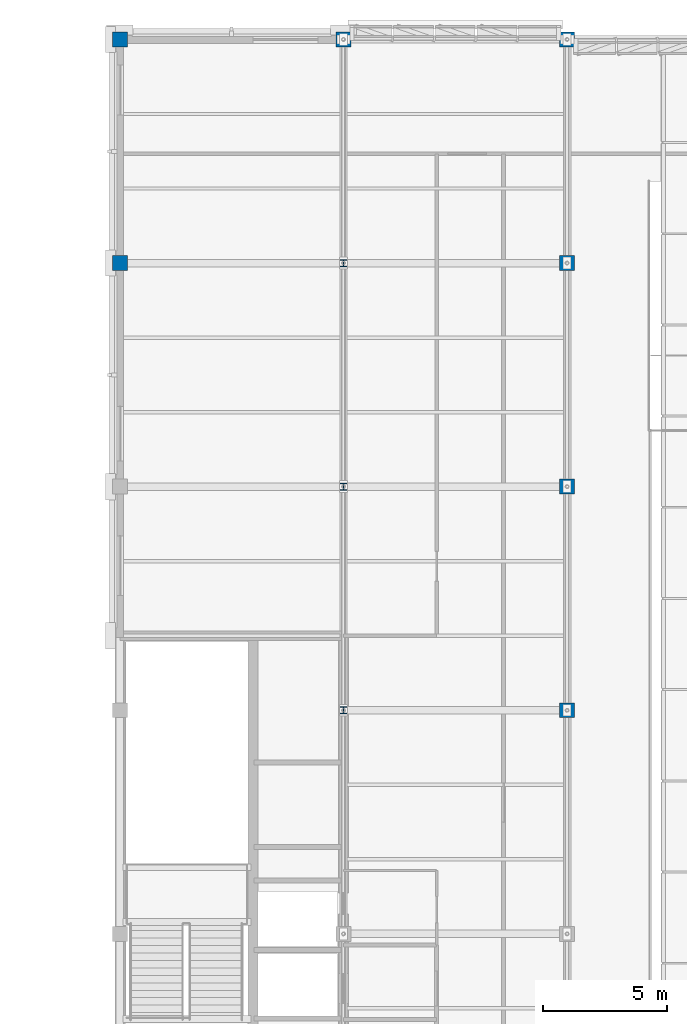
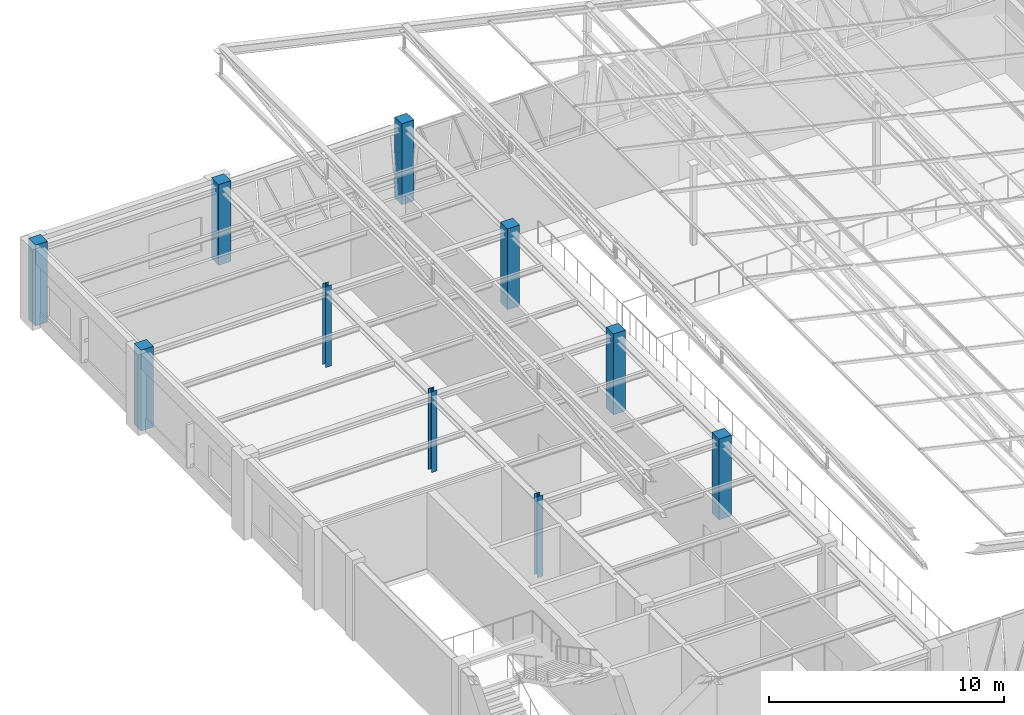
# One storey, part 8 of 130: 10 columns.
"""IFC4 building model written with IfcOpenShell, lengths in metres."""

from ifc_helpers import new_model, si_unit, direction, frame, origin, origin_2d, place, context, subcontext, project, spatial, rectangle, i_section, extrude, material, material_profile, profile_set, type_object, element, save


model = new_model("IFC4")

# Units and contexts
model_context = context("Model", 3, precision=1e-05, world=origin(), true_north=direction((0.0, 1.0)))
body_context = subcontext(model_context, "Body", "Model", "MODEL_VIEW")
ifc_project = project(units=[si_unit("LENGTHUNIT", "METRE"), si_unit("AREAUNIT", "SQUARE_METRE"), si_unit("VOLUMEUNIT", "CUBIC_METRE"), si_unit("PLANEANGLEUNIT", "RADIAN"), si_unit("MASSUNIT", "GRAM", prefix="KILO")], contexts=[model_context])

# Site, building, storey
site_placement = place(None, origin())
site = spatial("IfcSite", under=ifc_project, at=site_placement, CompositionType="ELEMENT")
building_placement = place(site_placement, origin())
building = spatial("IfcBuilding", under=site, at=building_placement, Name="Lykobir Media Centre", CompositionType="ELEMENT")
storey_placement = place(building_placement, frame((0.0, 0.0, 19.199951171875)))
storey = spatial("IfcBuildingStorey", under=building, at=storey_placement, Name="L04", CompositionType="ELEMENT", Elevation=19.199951171875)

# Columns
ifc_material_1 = material(Name="Concrete C40/50", Category="concrete")
ifc_material_profile_1 = material_profile(ifc_material_1, rectangle(XDim=0.60009765625, YDim=0.60009765625, at=origin_2d()), Name="RC 600x600")
ifc_profile_set_1 = profile_set([ifc_material_profile_1], Name="Concrete C40/50")
column_type_1 = type_object("IfcColumnType", Name="RC-C600", PredefinedType="COLUMN", material=ifc_profile_set_1)
for number, where, z_axis, x_axis, name in (
    (1, (27.0, 99.0, 0.0), (0.0, 0.0, 1.0), (1.0, 0.0, 0.0), "Column COL-L04-0270-0990"),
    (2, (45.0, 81.0, 0.0), (0.0, 0.0, 1.0), (1.0, 0.0, 0.0), "Column COL-L04-0450-0810"),
    (3, (45.0, 90.0, 0.0), (0.0, 0.0, 1.0), (1.0, 0.0, 0.0), "Column COL-L04-0450-0900"),
    (4, (45.0, 99.0, 0.0), (0.0, 0.0, 1.0), (1.0, 0.0, 0.0), "Column COL-L04-0450-0990"),
):
    element("IfcColumn", number, at=place(storey_placement, frame(where, z_axis=z_axis, x_axis=x_axis)), inside=storey, type_object=column_type_1, Name=name, PredefinedType="COLUMN", context=body_context, shape_type="SweptSolid", body=[
        extrude(rectangle(XDim=0.60009765625, YDim=0.60009765625, at=origin_2d()), origin(), (0.0, 0.0, 1.0), 4.199951171875),
    ])
ifc_material_profile_2 = material_profile(ifc_material_1, rectangle(XDim=0.60009765625, YDim=0.60009765625, at=origin_2d()), Name="RC 600x600")
ifc_profile_set_2 = profile_set([ifc_material_profile_2], Name="Concrete C40/50")
column_type_2 = type_object("IfcColumnType", Name="RC-C600-E", PredefinedType="COLUMN", material=ifc_profile_set_2)
for number, where, z_axis, x_axis, name in (
    (5, (27.0, 108.0, 0.0), (0.0, 0.0, 1.0), (1.0, 0.0, 0.0), "Column COL-L04-0270-1080"),
    (6, (36.0, 108.0, 0.0), (0.0, 0.0, 1.0), (1.0, 0.0, 0.0), "Column COL-L04-0360-1080"),
    (7, (45.0, 108.0, 0.0), (0.0, 0.0, 1.0), (1.0, 0.0, 0.0), "Column COL-L04-0450-1080"),
):
    element("IfcColumn", number, at=place(storey_placement, frame(where, z_axis=z_axis, x_axis=x_axis)), inside=storey, type_object=column_type_2, Name=name, PredefinedType="COLUMN", context=body_context, shape_type="SweptSolid", body=[
        extrude(rectangle(XDim=0.60009765625, YDim=0.60009765625, at=origin_2d()), origin(), (0.0, 0.0, 1.0), 4.199951171875),
    ])
ifc_material_2 = material(Name="Steel S355", Category="steel")
ifc_material_profile_3 = material_profile(ifc_material_2, i_section(OverallWidth=0.280029296875, OverallDepth=0.280029296875, WebThickness=0.010498046875, FlangeThickness=0.01806640625, at=origin_2d()), Name="HEB 280")
ifc_profile_set_3 = profile_set([ifc_material_profile_3], Name="Steel S355")
column_type_3 = type_object("IfcColumnType", Name="SC-HEB280", PredefinedType="COLUMN", material=ifc_profile_set_3)
for number, where, z_axis, x_axis, name in (
    (8, (36.0, 81.0, 0.0), (0.0, 0.0, 1.0), (1.0, 0.0, 0.0), "Column COL-L04-0360-0810"),
    (9, (36.0, 90.0, 0.0), (0.0, 0.0, 1.0), (1.0, 0.0, 0.0), "Column COL-L04-0360-0900"),
    (10, (36.0, 99.0, 0.0), (0.0, 0.0, 1.0), (1.0, 0.0, 0.0), "Column COL-L04-0360-0990"),
):
    element("IfcColumn", number, at=place(storey_placement, frame(where, z_axis=z_axis, x_axis=x_axis)), inside=storey, type_object=column_type_3, Name=name, PredefinedType="COLUMN", context=body_context, shape_type="SweptSolid", body=[
        extrude(i_section(OverallWidth=0.280029296875, OverallDepth=0.280029296875, WebThickness=0.010498046875, FlangeThickness=0.01806640625, at=origin_2d()), origin(), (0.0, 0.0, 1.0), 4.199951171875),
    ])

save(model, "model.ifc")
